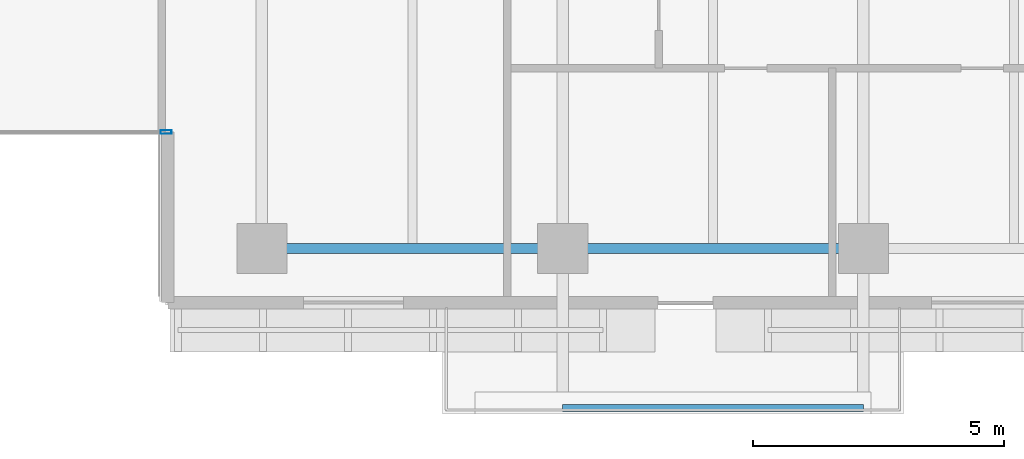
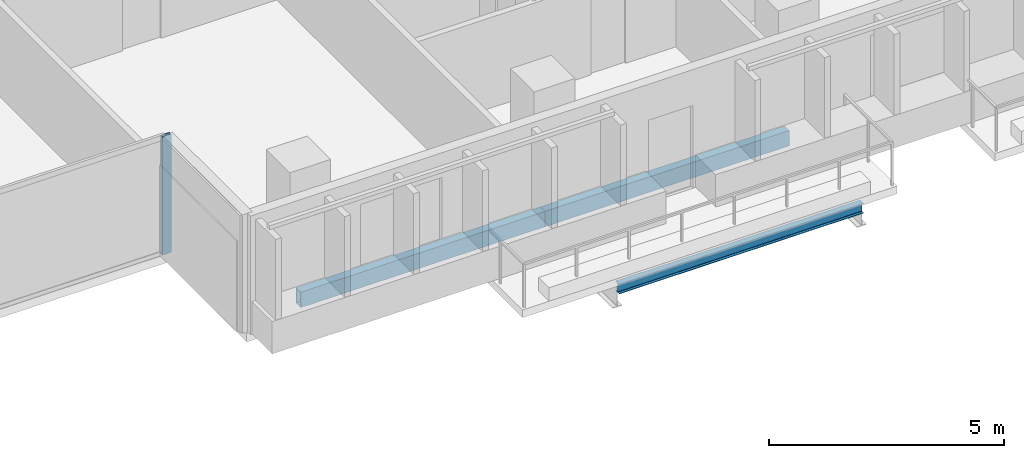
# One storey, part 6 of 33: 3 beams, 1 member, 1 element without a shape of its own.
"""IFC4 building model written with IfcOpenShell, lengths in metres."""

from ifc_helpers import new_model, si_unit, direction, frame, origin, origin_2d, place, context, subcontext, project, spatial, hollow_rectangle, i_section, extrude, material, layer, layer_set, material_profile, profile_set, type_object, element, aggregate, save


model = new_model("IFC4")

# Units and contexts
model_context = context("Model", 3, precision=1e-05, world=origin(), true_north=direction((0.0, 1.0)))
body_context = subcontext(model_context, "Body", "Model", "MODEL_VIEW")
ifc_project = project(units=[si_unit("LENGTHUNIT", "METRE"), si_unit("AREAUNIT", "SQUARE_METRE"), si_unit("VOLUMEUNIT", "CUBIC_METRE"), si_unit("PLANEANGLEUNIT", "RADIAN"), si_unit("MASSUNIT", "GRAM", prefix="KILO")], contexts=[model_context])

# Site, building, storey
site_placement = place(None, origin())
site = spatial("IfcSite", under=ifc_project, at=site_placement, CompositionType="ELEMENT")
building_placement = place(site_placement, origin())
building = spatial("IfcBuilding", under=site, at=building_placement, Name="Tanjung Sevakor Pilgrim Tower", CompositionType="ELEMENT")
storey_placement = place(building_placement, frame((0.0, 0.0, 95.3701171875)))
storey = spatial("IfcBuildingStorey", under=building, at=storey_placement, Name="L26", CompositionType="ELEMENT", Elevation=95.3701171875)

# Beams
ifc_material_1 = material(Name="Steel S355J2", Category="steel")
ifc_material_profile_1 = material_profile(ifc_material_1, i_section(OverallWidth=0.146484375, OverallDepth=0.256103515625, WebThickness=0.00634765625, FlangeThickness=0.010986328125, FilletRadius=0.007568359375, at=origin_2d()))
ifc_profile_set_1 = profile_set([ifc_material_profile_1], Name="Steel S355J2")
beam_type_1 = type_object("IfcBeamType", Name="BM-B-J6-UB_254x146x37", PredefinedType="JOIST", material=ifc_profile_set_1)
beam_placement = place(storey_placement, frame((60.0, 7.6201171875, -0.328125), z_axis=(1.0, 0.0, 0.0), x_axis=(0.0, 1.0, 0.0)))
element("IfcBeam", 1, at=beam_placement, inside=storey, type_object=beam_type_1, Name="L26 Balcony Rim Tie MAIN-S2", PredefinedType="JOIST", context=body_context, shape_type="SweptSolid", body=[
    extrude(i_section(OverallWidth=0.146484375, OverallDepth=0.256103515625, WebThickness=0.00634765625, FlangeThickness=0.010986328125, FilletRadius=0.007568359375, at=origin_2d()), origin(), (0.0, 0.0, 1.0), 6.0),
])
ifc_material_2 = material(Name="Steel S355J2", Category="steel")
ifc_material_profile_2 = material_profile(ifc_material_2, hollow_rectangle(XDim=0.199951171875, YDim=0.39990234375, WallThickness=0.01611328125, at=origin_2d()))
ifc_profile_set_2 = profile_set([ifc_material_profile_2], Name="Steel S355J2")
beam_type_2 = type_object("IfcBeamType", Name="BM-B-SP2-RHS_400x200x16", PredefinedType="SPANDREL", material=ifc_profile_set_2)
for number, where, z_axis, x_axis, name in (
    (2, (54.0, 10.800048828125, -0.420166015625), (1.0, 0.0, 0.0), (0.0, 1.0, 0.0), "L26 Spandrel MAIN S-07"),
    (3, (60.0, 10.800048828125, -0.420166015625), (1.0, 0.0, 0.0), (0.0, 1.0, 0.0), "L26 Spandrel MAIN S-09"),
):
    element("IfcBeam", number, at=place(storey_placement, frame(where, z_axis=z_axis, x_axis=x_axis)), inside=storey, type_object=beam_type_2, Name=name, PredefinedType="SPANDREL", context=body_context, shape_type="SweptSolid", body=[
        extrude(hollow_rectangle(XDim=0.199951171875, YDim=0.39990234375, WallThickness=0.01611328125, at=origin_2d()), origin(), (0.0, 0.0, 1.0), 6.0),
    ])

# Curtain wall, member
ifc_material_3 = material(Name="Aluminium 6063-T6 and Low-E Glass", Category="aluminium")
ifc_layer = layer(ifc_material_3, 0.179931640625)
ifc_layer_set = layer_set([ifc_layer], Name="CW-SYS-CLEFT")
curtain_wall_type = type_object("IfcCurtainWallType", Name="CW-SYS-CLEFT", PredefinedType="NOTDEFINED", material=ifc_layer_set)
curtain_wall_placement = place(storey_placement, origin())
curtain_wall = element("IfcCurtainWall", 4, at=curtain_wall_placement, inside=storey, type_object=curtain_wall_type, Name="L26 Curtain Wall CW-CLF-L26-2", PredefinedType="NOTDEFINED")
ifc_material_4 = material(Name="Aluminium 6063-T6", Category="aluminium")
ifc_material_profile_3 = material_profile(ifc_material_4, hollow_rectangle(XDim=0.074951171875, YDim=0.219970703125, WallThickness=0.0048828125, at=origin_2d()))
ifc_profile_set_3 = profile_set([ifc_material_profile_3], Name="Aluminium 6063-T6")
member_type = type_object("IfcMemberType", Name="TYPE-CWM-2", PredefinedType="MULLION", material=ifc_profile_set_3)
member_placement = place(storey_placement, frame((52.08740234375, 13.125, 0.0), z_axis=(0.0, 0.0, 1.0), x_axis=(0.0, 1.0, 0.0)))
member = element("IfcMember", 5, at=member_placement, type_object=member_type, Name="CW-CLF mullion 2", PredefinedType="MULLION", context=body_context, shape_type="SweptSolid", body=[
    extrude(hollow_rectangle(XDim=0.074951171875, YDim=0.219970703125, WallThickness=0.0048828125, at=origin_2d()), origin(), (0.0, 0.0, 1.0), 3.079833984375),
])
aggregate(curtain_wall, [member])

save(model, "model.ifc")
